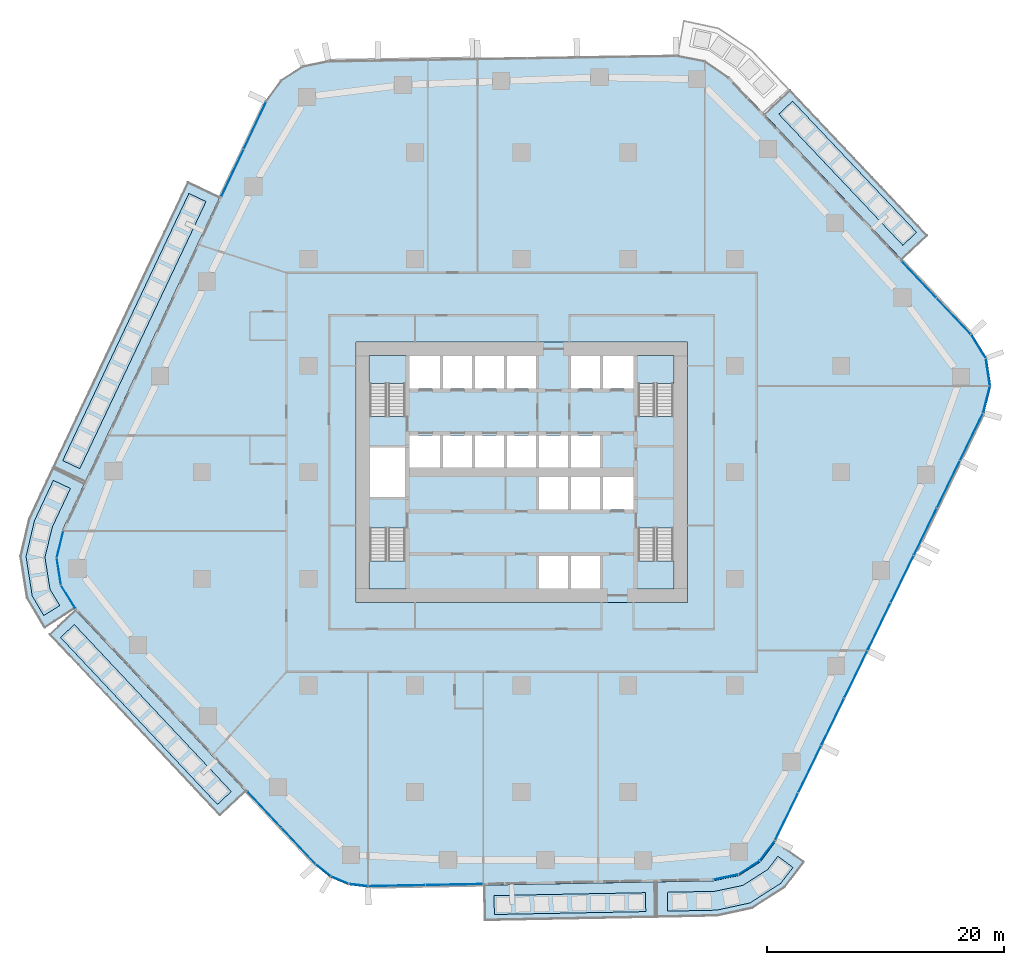
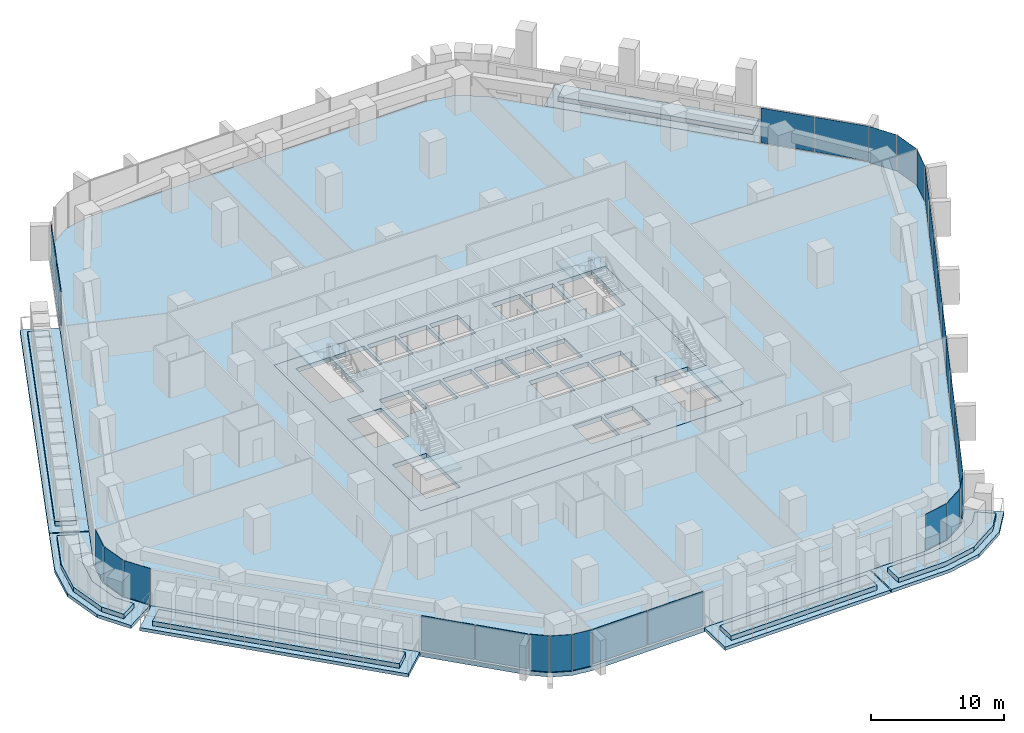
# One storey, part 11 of 25: 29 plates, 18 slabs, 13 elements without a shape of their own.
"""IFC4 building model written with IfcOpenShell, lengths in metres."""

from ifc_helpers import new_model, si_unit, direction, frame, origin, origin_2d, place, context, subcontext, project, spatial, polyline, rectangle, outline, extrude, material, layer, layer_set, type_object, element, aggregate, save


model = new_model("IFC4")

# Units and contexts
model_context = context("Model", 3, precision=1e-05, world=origin(), true_north=direction((0.0, 1.0)))
body_context = subcontext(model_context, "Body", "Model", "MODEL_VIEW")
ifc_project = project(units=[si_unit("LENGTHUNIT", "METRE"), si_unit("AREAUNIT", "SQUARE_METRE"), si_unit("VOLUMEUNIT", "CUBIC_METRE"), si_unit("PLANEANGLEUNIT", "RADIAN"), si_unit("MASSUNIT", "GRAM", prefix="KILO")], contexts=[model_context])

# Site, building, storey
site_placement = place(None, origin())
site = spatial("IfcSite", under=ifc_project, at=site_placement, CompositionType="ELEMENT")
building_placement = place(site_placement, origin())
building = spatial("IfcBuilding", under=site, at=building_placement, Name="Dongbaek Canopy Tower", CompositionType="ELEMENT")
storey_placement = place(building_placement, frame((0.0, 0.0, 81.0)))
storey = spatial("IfcBuildingStorey", under=building, at=storey_placement, Name="L16", CompositionType="ELEMENT", Elevation=81.0)

# Slabs
ifc_material_1 = material(Name="Concrete C40/50", Category="concrete")
ifc_layer_1 = layer(ifc_material_1, 0.300048828125)
ifc_layer_set_1 = layer_set([ifc_layer_1], Name="Balcony slab 300")
slab_type_1 = type_object("IfcSlabType", Name="Balcony slab 300", PredefinedType="FLOOR", material=ifc_layer_set_1)
slab_1_placement = place(storey_placement, frame((0.0, 0.0, -0.300048828125)))
element("IfcSlab", 1, at=slab_1_placement, inside=storey, type_object=slab_type_1, Name="Balcony L16 1", PredefinedType="FLOOR", context=body_context, shape_type="SweptSolid", body=[
    extrude(outline(polyline([(32.134033203125, 17.93408203125), (20.492431640625, 30.24755859375), (22.67236328125, 32.30859375), (34.31396484375, 19.9951171875), (32.134033203125, 17.93408203125)])), origin(), (0.0, 0.0, 1.0), 0.300048828125),
])
slab_2_placement = place(storey_placement, frame((0.0, 0.0, -0.300048828125)))
element("IfcSlab", 2, at=slab_2_placement, inside=storey, type_object=slab_type_1, Name="Balcony L16 2", PredefinedType="FLOOR", context=body_context, shape_type="SweptSolid", body=[
    extrude(outline(polyline([(-25.47998046875, 23.25048828125), (-36.863037109375, -0.844482421875), (-39.57568359375, 0.43701171875), (-28.1923828125, 24.531982421875), (-25.47998046875, 23.25048828125)])), origin(), (0.0, 0.0, 1.0), 0.300048828125),
])
slab_3_placement = place(storey_placement, frame((0.0, 0.0, -0.300048828125)))
element("IfcSlab", 3, at=slab_3_placement, inside=storey, type_object=slab_type_1, Name="Balcony L16 6", PredefinedType="FLOOR", context=body_context, shape_type="SweptSolid", body=[
    extrude(outline(polyline([(-36.90576171875, -0.93505859375), (-38.788818359375, -4.920654296875), (-39.358154296875, -7.2275390625), (-38.987548828125, -9.574462890625), (-37.761474609375, -11.551025390625), (-40.310791015625, -13.13232421875), (-41.799560546875, -10.61962890625), (-42.35546875, -7.099365234375), (-41.615234375, -3.91552734375), (-39.618408203125, 0.346435546875), (-36.90576171875, -0.93505859375)])), origin(), (0.0, 0.0, 1.0), 0.300048828125),
])
slab_4_placement = place(storey_placement, frame((0.0, 0.0, -0.300048828125)))
element("IfcSlab", 4, at=slab_4_placement, inside=storey, type_object=slab_type_1, Name="Balcony L16 3", PredefinedType="FLOOR", context=body_context, shape_type="SweptSolid", body=[
    extrude(outline(polyline([(-37.700927734375, -11.6298828125), (-23.28271484375, -26.96630859375), (-25.468505859375, -29.021240234375), (-39.88671875, -13.684814453125), (-37.700927734375, -11.6298828125)])), origin(), (0.0, 0.0, 1.0), 0.300048828125),
])
slab_5_placement = place(storey_placement, frame((0.0, 0.0, -0.300048828125)))
element("IfcSlab", 5, at=slab_5_placement, inside=storey, type_object=slab_type_1, Name="Balcony L16 4", PredefinedType="FLOOR", context=body_context, shape_type="SweptSolid", body=[
    extrude(outline(polyline([(-3.193359375, -34.87060546875), (11.294677734375, -34.595947265625), (11.3515625, -37.595458984375), (-3.136474609375, -37.869873046875), (-3.193359375, -34.87060546875)])), origin(), (0.0, 0.0, 1.0), 0.300048828125),
])
slab_6_placement = place(storey_placement, frame((0.0, 0.0, -0.300048828125)))
element("IfcSlab", 6, at=slab_6_placement, inside=storey, type_object=slab_type_1, Name="Balcony L16 7", PredefinedType="FLOOR", context=body_context, shape_type="SweptSolid", body=[
    extrude(outline(polyline([(11.39453125, -34.593994140625), (16.207275390625, -34.502685546875), (18.347900390625, -34.064208984375), (20.189697265625, -32.88818359375), (21.458251953125, -31.170654296875), (23.871337890625, -32.953125), (22.23779296875, -35.080078125), (19.47509765625, -36.844482421875), (16.5380859375, -37.484375), (11.451416015625, -37.593505859375), (11.39453125, -34.593994140625)])), origin(), (0.0, 0.0, 1.0), 0.300048828125),
])

# Curtain wall, plates
ifc_material_2 = material(Name="Aluminium 6063-T6 pale anodised", Category="aluminium")
ifc_layer_2 = layer(ifc_material_2, 0.199951171875)
ifc_layer_set_2 = layer_set([ifc_layer_2], Name="CW-1 unitised tower curtain wall")
curtain_wall_type = type_object("IfcCurtainWallType", Name="CW-1 unitised tower curtain wall", PredefinedType="NOTDEFINED", material=ifc_layer_set_2)
curtain_wall_1_placement = place(storey_placement, origin())
curtain_wall_1 = element("IfcCurtainWall", 7, at=curtain_wall_1_placement, inside=storey, type_object=curtain_wall_type, Name="CW-1 curtain wall K0.1", PredefinedType="NOTDEFINED")
ifc_material_3 = material(Name="Clear laminated glass", Category="glass")
ifc_layer_3 = layer(ifc_material_3, 0.028076171875)
ifc_layer_set_3 = layer_set([ifc_layer_3], Name="CW-1 glazed panel 28")
plate_type = type_object("IfcPlateType", Name="CW-1 glazed panel 28", PredefinedType="CURTAIN_PANEL", material=ifc_layer_set_3)
plate_1_placement = place(storey_placement, frame((39.259033203125, 6.140380859375, 0.0), z_axis=(0.0, 0.0, 1.0), x_axis=(0.248721904492, 0.968574939912, 0.0)))
plate_1 = element("IfcPlate", 8, at=plate_1_placement, type_object=plate_type, Name="CW-1 panel K0.1.1.1", PredefinedType="CURTAIN_PANEL", context=body_context, shape_type="SweptSolid", body=[
    extrude(rectangle(XDim=2.2900390625, YDim=0.028076171875, at=origin_2d()), origin(), (0.0, 0.0, 1.0), 3.300048828125),
])
plate_2_placement = place(storey_placement, frame((39.375244140625, 8.458251953125, 0.0), z_axis=(0.0, 0.0, 1.0), x_axis=(-0.151541451758, 0.988450903383, 0.0)))
plate_2 = element("IfcPlate", 9, at=plate_2_placement, type_object=plate_type, Name="CW-1 panel K0.1.2.1", PredefinedType="CURTAIN_PANEL", context=body_context, shape_type="SweptSolid", body=[
    extrude(rectangle(XDim=2.279541015625, YDim=0.028076171875, at=origin_2d()), origin(), (0.0, 0.0, 1.0), 3.300048828125),
])
plate_3_placement = place(storey_placement, frame((38.570068359375, 10.635009765625, 0.0), z_axis=(0.0, 0.0, 1.0), x_axis=(-0.527466370675, 0.849575910562, 0.0)))
plate_3 = element("IfcPlate", 10, at=plate_3_placement, type_object=plate_type, Name="CW-1 panel K0.1.3.1", PredefinedType="CURTAIN_PANEL", context=body_context, shape_type="SweptSolid", body=[
    extrude(rectangle(XDim=2.2900390625, YDim=0.028076171875, at=origin_2d()), origin(), (0.0, 0.0, 1.0), 3.300048828125),
])
aggregate(curtain_wall_1, [plate_1, plate_2, plate_3])

curtain_wall_2_placement = place(storey_placement, origin())
curtain_wall_2 = element("IfcCurtainWall", 11, at=curtain_wall_2_placement, inside=storey, type_object=curtain_wall_type, Name="CW-1 curtain wall F0.1", PredefinedType="NOTDEFINED")
plate_4_placement = place(storey_placement, frame((36.483642578125, 13.18798828125, 0.1201171875), z_axis=(0.0, 0.0, 1.0), x_axis=(-0.687005170923, 0.72665252709, 0.0)))
plate_4 = element("IfcPlate", 12, at=plate_4_placement, type_object=plate_type, Name="CW-1 panel F0.1.1.1", PredefinedType="CURTAIN_PANEL", context=body_context, shape_type="SweptSolid", body=[
    extrude(rectangle(XDim=4.167236328125, YDim=0.028076171875, at=origin_2d()), origin(), (0.0, 0.0, 1.0), 3.179931640625),
])
plate_5_placement = place(storey_placement, frame((33.5595703125, 16.28076171875, 0.1201171875), z_axis=(0.0, 0.0, 1.0), x_axis=(-0.687005170923, 0.72665252709, 0.0)))
plate_5 = element("IfcPlate", 13, at=plate_5_placement, type_object=plate_type, Name="CW-1 panel F0.1.2.1", PredefinedType="CURTAIN_PANEL", context=body_context, shape_type="SweptSolid", body=[
    extrude(rectangle(XDim=4.177490234375, YDim=0.028076171875, at=origin_2d()), origin(), (0.0, 0.0, 1.0), 3.179931640625),
])
aggregate(curtain_wall_2, [plate_4, plate_5])

curtain_wall_3_placement = place(storey_placement, origin())
curtain_wall_3 = element("IfcCurtainWall", 14, at=curtain_wall_3_placement, inside=storey, type_object=curtain_wall_type, Name="CW-1 curtain wall F2.1", PredefinedType="NOTDEFINED")
plate_6_placement = place(storey_placement, frame((-22.513671875, 29.29541015625, 0.1201171875), z_axis=(0.0, 0.0, 1.0), x_axis=(-0.427157493317, -0.904177236997, 0.0)))
plate_6 = element("IfcPlate", 15, at=plate_6_placement, type_object=plate_type, Name="CW-1 panel F2.1.1.1", PredefinedType="CURTAIN_PANEL", context=body_context, shape_type="SweptSolid", body=[
    extrude(rectangle(XDim=4.36474609375, YDim=0.028076171875, at=origin_2d()), origin(), (0.0, 0.0, 1.0), 3.179931640625),
])
plate_7_placement = place(storey_placement, frame((-24.416015625, 25.2685546875, 0.1201171875), z_axis=(0.0, 0.0, 1.0), x_axis=(-0.427157493317, -0.904177236997, 0.0)))
plate_7 = element("IfcPlate", 16, at=plate_7_placement, type_object=plate_type, Name="CW-1 panel F2.1.2.1", PredefinedType="CURTAIN_PANEL", context=body_context, shape_type="SweptSolid", body=[
    extrude(rectangle(XDim=4.3740234375, YDim=0.028076171875, at=origin_2d()), origin(), (0.0, 0.0, 1.0), 3.179931640625),
])
aggregate(curtain_wall_3, [plate_6, plate_7])

curtain_wall_4_placement = place(storey_placement, origin())
curtain_wall_4 = element("IfcCurtainWall", 17, at=curtain_wall_4_placement, inside=storey, type_object=curtain_wall_type, Name="CW-1 curtain wall K3.1", PredefinedType="NOTDEFINED")
plate_8_placement = place(storey_placement, frame((-38.97509765625, -6.093017578125, 0.0), z_axis=(0.0, 0.0, 1.0), x_axis=(-0.239675655478, -0.97085301677, 0.0)))
plate_8 = element("IfcPlate", 18, at=plate_8_placement, type_object=plate_type, Name="CW-1 panel K3.1.1.1", PredefinedType="CURTAIN_PANEL", context=body_context, shape_type="SweptSolid", body=[
    extrude(rectangle(XDim=2.26171875, YDim=0.028076171875, at=origin_2d()), origin(), (0.0, 0.0, 1.0), 3.300048828125),
])
plate_9_placement = place(storey_placement, frame((-39.07421875, -8.38525390625, 0.0), z_axis=(0.0, 0.0, 1.0), x_axis=(0.15595884554, -0.987763553943, 0.0)))
plate_9 = element("IfcPlate", 19, at=plate_9_placement, type_object=plate_type, Name="CW-1 panel K3.1.2.1", PredefinedType="CURTAIN_PANEL", context=body_context, shape_type="SweptSolid", body=[
    extrude(rectangle(XDim=2.25146484375, YDim=0.028076171875, at=origin_2d()), origin(), (0.0, 0.0, 1.0), 3.300048828125),
])
plate_10_placement = place(storey_placement, frame((-38.273681640625, -10.535400390625, 0.0), z_axis=(0.0, 0.0, 1.0), x_axis=(0.527137030635, -0.849780295684, 0.0)))
plate_10 = element("IfcPlate", 20, at=plate_10_placement, type_object=plate_type, Name="CW-1 panel K3.1.3.1", PredefinedType="CURTAIN_PANEL", context=body_context, shape_type="SweptSolid", body=[
    extrude(rectangle(XDim=2.26171875, YDim=0.028076171875, at=origin_2d()), origin(), (0.0, 0.0, 1.0), 3.300048828125),
])
aggregate(curtain_wall_4, [plate_8, plate_9, plate_10])

curtain_wall_5_placement = place(storey_placement, origin())
curtain_wall_5 = element("IfcCurtainWall", 21, at=curtain_wall_5_placement, inside=storey, type_object=curtain_wall_type, Name="CW-1 curtain wall F3.1", PredefinedType="NOTDEFINED")
plate_11_placement = place(storey_placement, frame((-21.72705078125, -28.475341796875, 0.1201171875), z_axis=(0.0, 0.0, 1.0), x_axis=(0.684955696886, -0.728584719372, 0.0)))
plate_11 = element("IfcPlate", 22, at=plate_11_placement, type_object=plate_type, Name="CW-1 panel F3.1.1.1", PredefinedType="CURTAIN_PANEL", context=body_context, shape_type="SweptSolid", body=[
    extrude(rectangle(XDim=4.14599609375, YDim=0.028076171875, at=origin_2d()), origin(), (0.0, 0.0, 1.0), 3.179931640625),
])
plate_12_placement = place(storey_placement, frame((-18.83203125, -31.5546875, 0.1201171875), z_axis=(0.0, 0.0, 1.0), x_axis=(0.684955696886, -0.728584719372, 0.0)))
plate_12 = element("IfcPlate", 23, at=plate_12_placement, type_object=plate_type, Name="CW-1 panel F3.1.2.1", PredefinedType="CURTAIN_PANEL", context=body_context, shape_type="SweptSolid", body=[
    extrude(rectangle(XDim=4.138916015625, YDim=0.028076171875, at=origin_2d()), origin(), (0.0, 0.0, 1.0), 3.179931640625),
])
aggregate(curtain_wall_5, [plate_11, plate_12])

curtain_wall_6_placement = place(storey_placement, origin())
curtain_wall_6 = element("IfcCurtainWall", 24, at=curtain_wall_6_placement, inside=storey, type_object=curtain_wall_type, Name="CW-1 curtain wall K4.1", PredefinedType="NOTDEFINED")
plate_13_placement = place(storey_placement, frame((-16.7451171875, -33.608154296875, 0.0), z_axis=(0.0, 0.0, 1.0), x_axis=(0.779422777019, -0.626498311781, 0.0)))
plate_13 = element("IfcPlate", 25, at=plate_13_placement, type_object=plate_type, Name="CW-1 panel K4.1.1.1", PredefinedType="CURTAIN_PANEL", context=body_context, shape_type="SweptSolid", body=[
    extrude(rectangle(XDim=1.56005859375, YDim=0.028076171875, at=origin_2d()), origin(), (0.0, 0.0, 1.0), 3.300048828125),
])
plate_14_placement = place(storey_placement, frame((-15.35009765625, -34.440673828125, 0.0), z_axis=(0.0, 0.0, 1.0), x_axis=(0.92158575845, -0.388174818635, 0.0)))
plate_14 = element("IfcPlate", 26, at=plate_14_placement, type_object=plate_type, Name="CW-1 panel K4.1.2.1", PredefinedType="CURTAIN_PANEL", context=body_context, shape_type="SweptSolid", body=[
    extrude(rectangle(XDim=1.552978515625, YDim=0.028076171875, at=origin_2d()), origin(), (0.0, 0.0, 1.0), 3.300048828125),
])
plate_15_placement = place(storey_placement, frame((-13.779541015625, -34.857177734375, 0.0), z_axis=(0.0, 0.0, 1.0), x_axis=(0.992778894538, -0.119958603523, 0.0)))
plate_15 = element("IfcPlate", 27, at=plate_15_placement, type_object=plate_type, Name="CW-1 panel K4.1.3.1", PredefinedType="CURTAIN_PANEL", context=body_context, shape_type="SweptSolid", body=[
    extrude(rectangle(XDim=1.56005859375, YDim=0.028076171875, at=origin_2d()), origin(), (0.0, 0.0, 1.0), 3.300048828125),
])
aggregate(curtain_wall_6, [plate_13, plate_14, plate_15])

curtain_wall_7_placement = place(storey_placement, origin())
curtain_wall_7 = element("IfcCurtainWall", 28, at=curtain_wall_7_placement, inside=storey, type_object=curtain_wall_type, Name="CW-1 curtain wall F4.1", PredefinedType="NOTDEFINED")
plate_16_placement = place(storey_placement, frame((-10.53564453125, -34.90966796875, 0.1201171875), z_axis=(0.0, 0.0, 1.0), x_axis=(0.999820399817, 0.018951731053, 0.0)))
plate_16 = element("IfcPlate", 29, at=plate_16_placement, type_object=plate_type, Name="CW-1 panel F4.1.1.1", PredefinedType="CURTAIN_PANEL", context=body_context, shape_type="SweptSolid", body=[
    extrude(rectangle(XDim=4.7724609375, YDim=0.028076171875, at=origin_2d()), origin(), (0.0, 0.0, 1.0), 3.179931640625),
])
plate_17_placement = place(storey_placement, frame((-5.676513671875, -34.817626953125, 0.1201171875), z_axis=(0.0, 0.0, 1.0), x_axis=(0.999820399817, 0.018951731053, 0.0)))
plate_17 = element("IfcPlate", 30, at=plate_17_placement, type_object=plate_type, Name="CW-1 panel F4.1.2.1", PredefinedType="CURTAIN_PANEL", context=body_context, shape_type="SweptSolid", body=[
    extrude(rectangle(XDim=4.779541015625, YDim=0.028076171875, at=origin_2d()), origin(), (0.0, 0.0, 1.0), 3.179931640625),
])
aggregate(curtain_wall_7, [plate_16, plate_17])

curtain_wall_8_placement = place(storey_placement, origin())
curtain_wall_8 = element("IfcCurtainWall", 31, at=curtain_wall_8_placement, inside=storey, type_object=curtain_wall_type, Name="CW-1 curtain wall K5.1", PredefinedType="NOTDEFINED")
plate_18_placement = place(storey_placement, frame((17.2529296875, -34.1865234375, 0.0), z_axis=(0.0, 0.0, 1.0), x_axis=(0.979652022708, 0.200703548559, 0.0)))
plate_18 = element("IfcPlate", 32, at=plate_18_placement, type_object=plate_type, Name="CW-1 panel K5.1.1.1", PredefinedType="CURTAIN_PANEL", context=body_context, shape_type="SweptSolid", body=[
    extrude(rectangle(XDim=2.073486328125, YDim=0.028076171875, at=origin_2d()), origin(), (0.0, 0.0, 1.0), 3.300048828125),
])
plate_19_placement = place(storey_placement, frame((19.215087890625, -33.391845703125, 0.0), z_axis=(0.0, 0.0, 1.0), x_axis=(0.842805099495, 0.538218881372, 0.0)))
plate_19 = element("IfcPlate", 33, at=plate_19_placement, type_object=plate_type, Name="CW-1 panel K5.1.2.1", PredefinedType="CURTAIN_PANEL", context=body_context, shape_type="SweptSolid", body=[
    extrude(rectangle(XDim=2.064208984375, YDim=0.028076171875, at=origin_2d()), origin(), (0.0, 0.0, 1.0), 3.300048828125),
])
plate_20_placement = place(storey_placement, frame((20.76123046875, -31.946044921875, 0.0), z_axis=(0.0, 0.0, 1.0), x_axis=(0.594165406142, 0.804342880955, 0.0)))
plate_20 = element("IfcPlate", 34, at=plate_20_placement, type_object=plate_type, Name="CW-1 panel K5.1.3.1", PredefinedType="CURTAIN_PANEL", context=body_context, shape_type="SweptSolid", body=[
    extrude(rectangle(XDim=2.073486328125, YDim=0.028076171875, at=origin_2d()), origin(), (0.0, 0.0, 1.0), 3.300048828125),
])
aggregate(curtain_wall_8, [plate_18, plate_19, plate_20])

curtain_wall_9_placement = place(storey_placement, origin())
curtain_wall_9 = element("IfcCurtainWall", 35, at=curtain_wall_9_placement, inside=storey, type_object=curtain_wall_type, Name="CW-1 curtain wall F5.1", PredefinedType="NOTDEFINED")
plate_21_placement = place(storey_placement, frame((22.376220703125, -29.07763671875, 0.1201171875), z_axis=(0.0, 0.0, 1.0), x_axis=(0.437758850882, 0.899092424879, 0.0)))
plate_21 = element("IfcPlate", 36, at=plate_21_placement, type_object=plate_type, Name="CW-1 panel F5.1.1.1", PredefinedType="CURTAIN_PANEL", context=body_context, shape_type="SweptSolid", body=[
    extrude(rectangle(XDim=4.366455078125, YDim=0.028076171875, at=origin_2d()), origin(), (0.0, 0.0, 1.0), 3.179931640625),
])
plate_22_placement = place(storey_placement, frame((24.326416015625, -25.072265625, 0.1201171875), z_axis=(0.0, 0.0, 1.0), x_axis=(0.437758850882, 0.899092424879, 0.0)))
plate_22 = element("IfcPlate", 37, at=plate_22_placement, type_object=plate_type, Name="CW-1 panel F5.1.2.1", PredefinedType="CURTAIN_PANEL", context=body_context, shape_type="SweptSolid", body=[
    extrude(rectangle(XDim=4.375732421875, YDim=0.028076171875, at=origin_2d()), origin(), (0.0, 0.0, 1.0), 3.179931640625),
])
plate_23_placement = place(storey_placement, frame((26.27880859375, -21.0625, 0.1201171875), z_axis=(0.0, 0.0, 1.0), x_axis=(0.437758850882, 0.899092424879, 0.0)))
plate_23 = element("IfcPlate", 38, at=plate_23_placement, type_object=plate_type, Name="CW-1 panel F5.1.3.1", PredefinedType="CURTAIN_PANEL", context=body_context, shape_type="SweptSolid", body=[
    extrude(rectangle(XDim=4.375732421875, YDim=0.028076171875, at=origin_2d()), origin(), (0.0, 0.0, 1.0), 3.179931640625),
])
plate_24_placement = place(storey_placement, frame((28.23095703125, -17.052978515625, 0.1201171875), z_axis=(0.0, 0.0, 1.0), x_axis=(0.437758850882, 0.899092424879, 0.0)))
plate_24 = element("IfcPlate", 39, at=plate_24_placement, type_object=plate_type, Name="CW-1 panel F5.1.4.1", PredefinedType="CURTAIN_PANEL", context=body_context, shape_type="SweptSolid", body=[
    extrude(rectangle(XDim=4.375732421875, YDim=0.028076171875, at=origin_2d()), origin(), (0.0, 0.0, 1.0), 3.179931640625),
])
plate_25_placement = place(storey_placement, frame((30.183349609375, -13.04345703125, 0.1201171875), z_axis=(0.0, 0.0, 1.0), x_axis=(0.437758850882, 0.899092424879, 0.0)))
plate_25 = element("IfcPlate", 40, at=plate_25_placement, type_object=plate_type, Name="CW-1 panel F5.1.5.1", PredefinedType="CURTAIN_PANEL", context=body_context, shape_type="SweptSolid", body=[
    extrude(rectangle(XDim=4.375732421875, YDim=0.028076171875, at=origin_2d()), origin(), (0.0, 0.0, 1.0), 3.179931640625),
])
plate_26_placement = place(storey_placement, frame((32.135498046875, -9.03369140625, 0.1201171875), z_axis=(0.0, 0.0, 1.0), x_axis=(0.437758850882, 0.899092424879, 0.0)))
plate_26 = element("IfcPlate", 41, at=plate_26_placement, type_object=plate_type, Name="CW-1 panel F5.1.6.1", PredefinedType="CURTAIN_PANEL", context=body_context, shape_type="SweptSolid", body=[
    extrude(rectangle(XDim=4.375732421875, YDim=0.028076171875, at=origin_2d()), origin(), (0.0, 0.0, 1.0), 3.179931640625),
])
plate_27_placement = place(storey_placement, frame((34.087646484375, -5.024169921875, 0.1201171875), z_axis=(0.0, 0.0, 1.0), x_axis=(0.437758850882, 0.899092424879, 0.0)))
plate_27 = element("IfcPlate", 42, at=plate_27_placement, type_object=plate_type, Name="CW-1 panel F5.1.7.1", PredefinedType="CURTAIN_PANEL", context=body_context, shape_type="SweptSolid", body=[
    extrude(rectangle(XDim=4.375732421875, YDim=0.028076171875, at=origin_2d()), origin(), (0.0, 0.0, 1.0), 3.179931640625),
])
plate_28_placement = place(storey_placement, frame((36.0400390625, -1.014404296875, 0.1201171875), z_axis=(0.0, 0.0, 1.0), x_axis=(0.437758850882, 0.899092424879, 0.0)))
plate_28 = element("IfcPlate", 43, at=plate_28_placement, type_object=plate_type, Name="CW-1 panel F5.1.8.1", PredefinedType="CURTAIN_PANEL", context=body_context, shape_type="SweptSolid", body=[
    extrude(rectangle(XDim=4.375732421875, YDim=0.028076171875, at=origin_2d()), origin(), (0.0, 0.0, 1.0), 3.179931640625),
])
plate_29_placement = place(storey_placement, frame((37.989990234375, 2.990478515625, 0.1201171875), z_axis=(0.0, 0.0, 1.0), x_axis=(0.437758850882, 0.899092424879, 0.0)))
plate_29 = element("IfcPlate", 44, at=plate_29_placement, type_object=plate_type, Name="CW-1 panel F5.1.9.1", PredefinedType="CURTAIN_PANEL", context=body_context, shape_type="SweptSolid", body=[
    extrude(rectangle(XDim=4.365478515625, YDim=0.028076171875, at=origin_2d()), origin(), (0.0, 0.0, 1.0), 3.179931640625),
])
aggregate(curtain_wall_9, [plate_21, plate_22, plate_23, plate_24, plate_25, plate_26, plate_27, plate_28, plate_29])

# Slab
ifc_material_4 = material(Name="Concrete C40/50", Category="concrete")
ifc_layer_4 = layer(ifc_material_4, 0.39990234375)
ifc_layer_set_4 = layer_set([ifc_layer_4], Name="Core floor slab 400 Concrete C40/50")
slab_type_2 = type_object("IfcSlabType", Name="Core floor slab 400 Concrete C40/50", PredefinedType="FLOOR", material=ifc_layer_set_4)
slab_7_placement = place(storey_placement, frame((0.0, 0.0, -0.39990234375)))
element("IfcSlab", 45, at=slab_7_placement, inside=storey, type_object=slab_type_2, Name="Core floor slab L16", PredefinedType="FLOOR", context=body_context, shape_type="SweptSolid", body=[
    extrude(outline(polyline([(14.0, -11.0), (14.0, 11.0), (-14.0, 11.0), (-14.0, -11.0), (14.0, -11.0)]), holes=[polyline([(-12.800048828125, 2.10009765625), (-9.85009765625, 2.10009765625), (-9.85009765625, -2.10009765625), (-12.800048828125, -2.10009765625), (-12.800048828125, 2.10009765625)]), polyline([(-6.875, 9.800048828125), (-6.875, 7.074951171875), (-9.449951171875, 7.074951171875), (-9.449951171875, 9.800048828125), (-6.875, 9.800048828125)]), polyline([(-4.175048828125, 9.800048828125), (-4.175048828125, 7.074951171875), (-6.625, 7.074951171875), (-6.625, 9.800048828125), (-4.175048828125, 9.800048828125)]), polyline([(-1.47509765625, 9.800048828125), (-1.47509765625, 7.074951171875), (-3.925048828125, 7.074951171875), (-3.925048828125, 9.800048828125), (-1.47509765625, 9.800048828125)]), polyline([(1.22509765625, 9.800048828125), (1.22509765625, 7.074951171875), (-1.22509765625, 7.074951171875), (-1.22509765625, 9.800048828125), (1.22509765625, 9.800048828125)]), polyline([(6.625, 9.800048828125), (6.625, 7.074951171875), (4.175048828125, 7.074951171875), (4.175048828125, 9.800048828125), (6.625, 9.800048828125)]), polyline([(9.449951171875, 7.074951171875), (6.875, 7.074951171875), (6.875, 9.800048828125), (9.449951171875, 9.800048828125), (9.449951171875, 7.074951171875)]), polyline([(-9.449951171875, 3.125), (-6.875, 3.125), (-6.875, 0.39990234375), (-9.449951171875, 0.39990234375), (-9.449951171875, 3.125)]), polyline([(-6.625, 3.125), (-4.175048828125, 3.125), (-4.175048828125, 0.39990234375), (-6.625, 0.39990234375), (-6.625, 3.125)]), polyline([(-3.925048828125, 3.125), (-1.47509765625, 3.125), (-1.47509765625, 0.39990234375), (-3.925048828125, 0.39990234375), (-3.925048828125, 3.125)]), polyline([(-1.22509765625, 3.125), (1.22509765625, 3.125), (1.22509765625, 0.39990234375), (-1.22509765625, 0.39990234375), (-1.22509765625, 3.125)]), polyline([(1.47509765625, 0.39990234375), (1.47509765625, 3.125), (3.925048828125, 3.125), (3.925048828125, 0.39990234375), (1.47509765625, 0.39990234375)]), polyline([(4.175048828125, 0.39990234375), (4.175048828125, 3.125), (6.625, 3.125), (6.625, 0.39990234375), (4.175048828125, 0.39990234375)]), polyline([(3.925048828125, -0.39990234375), (3.925048828125, -3.125), (1.47509765625, -3.125), (1.47509765625, -0.39990234375), (3.925048828125, -0.39990234375)]), polyline([(6.625, -0.39990234375), (6.625, -3.125), (4.175048828125, -3.125), (4.175048828125, -0.39990234375), (6.625, -0.39990234375)]), polyline([(9.449951171875, -3.125), (6.875, -3.125), (6.875, -0.39990234375), (9.449951171875, -0.39990234375), (9.449951171875, -3.125)]), polyline([(1.47509765625, -9.800048828125), (1.47509765625, -7.074951171875), (3.925048828125, -7.074951171875), (3.925048828125, -9.800048828125), (1.47509765625, -9.800048828125)]), polyline([(4.175048828125, -9.800048828125), (4.175048828125, -7.074951171875), (6.625, -7.074951171875), (6.625, -9.800048828125), (4.175048828125, -9.800048828125)]), polyline([(12.800048828125, 4.70068359375), (12.800048828125, 9.800048828125), (9.85009765625, 9.800048828125), (9.85009765625, 4.70068359375), (12.800048828125, 4.70068359375)]), polyline([(-9.85009765625, 4.70068359375), (-9.85009765625, 9.800048828125), (-12.800048828125, 9.800048828125), (-12.800048828125, 4.70068359375), (-9.85009765625, 4.70068359375)]), polyline([(9.85009765625, -4.70068359375), (9.85009765625, -9.800048828125), (12.800048828125, -9.800048828125), (12.800048828125, -4.70068359375), (9.85009765625, -4.70068359375)]), polyline([(-12.800048828125, -4.70068359375), (-12.800048828125, -9.800048828125), (-9.85009765625, -9.800048828125), (-9.85009765625, -4.70068359375), (-12.800048828125, -4.70068359375)])]), origin(), (0.0, 0.0, 1.0), 0.39990234375),
])

# Stair, slab
ifc_material_5 = material(Name="Concrete C40/50", Category="concrete")
stair_type = type_object("IfcStairType", Name="Core exit stair", PredefinedType="HALF_TURN_STAIR", material=ifc_material_5)
stair_1_placement = place(storey_placement, origin())
stair_1 = element("IfcStair", 46, at=stair_1_placement, inside=storey, type_object=stair_type, Name="L16 exit stair A", PredefinedType="HALF_TURN_STAIR")
ifc_material_6 = material(Name="Concrete C40/50", Category="concrete")
ifc_layer_5 = layer(ifc_material_6, 0.199951171875)
ifc_layer_set_5 = layer_set([ifc_layer_5], Name="Core stair landing 200")
slab_type_3 = type_object("IfcSlabType", Name="Core stair landing 200", PredefinedType="LANDING", material=ifc_layer_set_5)
slab_8_placement = place(storey_placement, frame((0.0, 0.0, 1.64990234375)))
slab_8 = element("IfcSlab", 47, at=slab_8_placement, type_object=slab_type_3, Name="ST-A landing 1", PredefinedType="LANDING", context=body_context, shape_type="SweptSolid", body=[
    extrude(outline(polyline([(12.875, 7.5), (12.875, 9.875), (9.77490234375, 9.875), (9.77490234375, 7.5), (12.875, 7.5)])), origin(), (0.0, 0.0, 1.0), 0.2001953125),
])
aggregate(stair_1, [slab_8])

stair_2_placement = place(storey_placement, origin())
stair_2 = element("IfcStair", 48, at=stair_2_placement, inside=storey, type_object=stair_type, Name="L16 exit stair C", PredefinedType="HALF_TURN_STAIR")
slab_9_placement = place(storey_placement, frame((0.0, 0.0, 1.64990234375)))
slab_9 = element("IfcSlab", 49, at=slab_9_placement, type_object=slab_type_3, Name="ST-C landing 1", PredefinedType="LANDING", context=body_context, shape_type="SweptSolid", body=[
    extrude(outline(polyline([(-9.77490234375, 7.5), (-9.77490234375, 9.875), (-12.875, 9.875), (-12.875, 7.5), (-9.77490234375, 7.5)])), origin(), (0.0, 0.0, 1.0), 0.2001953125),
])
aggregate(stair_2, [slab_9])

stair_3_placement = place(storey_placement, origin())
stair_3 = element("IfcStair", 50, at=stair_3_placement, inside=storey, type_object=stair_type, Name="L16 exit stair B", PredefinedType="HALF_TURN_STAIR")
slab_10_placement = place(storey_placement, frame((0.0, 0.0, 1.64990234375)))
slab_10 = element("IfcSlab", 51, at=slab_10_placement, type_object=slab_type_3, Name="ST-B landing 1", PredefinedType="LANDING", context=body_context, shape_type="SweptSolid", body=[
    extrude(outline(polyline([(9.77490234375, -7.5), (9.77490234375, -9.875), (12.875, -9.875), (12.875, -7.5), (9.77490234375, -7.5)])), origin(), (0.0, 0.0, 1.0), 0.2001953125),
])
aggregate(stair_3, [slab_10])

stair_4_placement = place(storey_placement, origin())
stair_4 = element("IfcStair", 52, at=stair_4_placement, inside=storey, type_object=stair_type, Name="L16 exit stair D", PredefinedType="HALF_TURN_STAIR")
slab_11_placement = place(storey_placement, frame((0.0, 0.0, 1.64990234375)))
slab_11 = element("IfcSlab", 53, at=slab_11_placement, type_object=slab_type_3, Name="ST-D landing 1", PredefinedType="LANDING", context=body_context, shape_type="SweptSolid", body=[
    extrude(outline(polyline([(-12.875, -7.5), (-12.875, -9.875), (-9.77490234375, -9.875), (-9.77490234375, -7.5), (-12.875, -7.5)])), origin(), (0.0, 0.0, 1.0), 0.2001953125),
])
aggregate(stair_4, [slab_11])

# Slabs
ifc_material_7 = material(Name="Concrete C40", Category="concrete")
ifc_layer_6 = layer(ifc_material_7, 0.39990234375)
ifc_layer_set_6 = layer_set([ifc_layer_6], Name="RC FLAT PLATE 400 Concrete C40")
slab_type_4 = type_object("IfcSlabType", Name="RC FLAT PLATE 400 Concrete C40", PredefinedType="FLOOR", material=ifc_layer_set_6)
slab_12_placement = place(storey_placement, frame((0.0, 0.0, -0.39990234375)))
element("IfcSlab", 54, at=slab_12_placement, inside=storey, type_object=slab_type_4, Name="SLAB:L16", PredefinedType="FLOOR", context=body_context, shape_type="SweptSolid", body=[
    extrude(outline(polyline([(21.488037109375, -31.13037109375), (20.189697265625, -32.88818359375), (18.347900390625, -34.064208984375), (16.207275390625, -34.502685546875), (-12.968505859375, -35.055908203125), (-14.62158203125, -34.856201171875), (-16.156005859375, -34.209716796875), (-17.453857421875, -33.16650390625), (-37.735107421875, -11.593505859375), (-38.98779296875, -9.57421875), (-39.358154296875, -7.227294921875), (-38.788818359375, -4.920654296875), (-21.64990234375, 31.357666015625), (-20.3505859375, 33.151123046875), (-18.4892578125, 34.35107421875), (-16.319580078125, 34.7939453125), (13.075927734375, 35.2578125), (15.50048828125, 34.78759765625), (17.530517578125, 33.380615234375), (38.023681640625, 11.70458984375), (39.2919921875, 9.661865234375), (39.65625, 7.28515625), (39.058349609375, 4.9560546875), (21.488037109375, -31.13037109375)]), holes=[polyline([(14.0, 11.0), (-14.0, 11.0), (-14.0, -11.0), (14.0, -11.0), (14.0, 11.0)])]), origin(), (0.0, 0.0, 1.0), 0.39990234375),
])
ifc_material_8 = material(Name="Reinforced concrete C40/50 planter box with soil", Category="concrete")
ifc_layer_7 = layer(ifc_material_8, 0.419921875)
ifc_layer_set_7 = layer_set([ifc_layer_7], Name="Terrace planter box 1600 x 420")
slab_type_5 = type_object("IfcSlabType", Name="Terrace planter box 1600 x 420", PredefinedType="USERDEFINED", material=ifc_layer_set_7)
slab_13_placement = place(storey_placement, origin())
element("IfcSlab", 55, at=slab_13_placement, inside=storey, type_object=slab_type_5, Name="Balcony planter L16 1", ObjectType="PLANTER", PredefinedType="USERDEFINED", context=body_context, shape_type="SweptSolid", body=[
    extrude(outline(polyline([(32.19677734375, 19.163330078125), (21.72314453125, 30.241455078125), (22.8857421875, 31.340576171875), (33.359375, 20.262451171875), (32.19677734375, 19.163330078125)])), origin(), (0.0, 0.0, 1.0), 0.419921875),
])
slab_14_placement = place(storey_placement, origin())
element("IfcSlab", 56, at=slab_14_placement, inside=storey, type_object=slab_type_5, Name="Balcony planter L16 2", ObjectType="PLANTER", PredefinedType="USERDEFINED", context=body_context, shape_type="SweptSolid", body=[
    extrude(outline(polyline([(-26.647705078125, 22.8623046875), (-37.3046875, 0.30419921875), (-38.75146484375, 0.987548828125), (-28.09423828125, 23.545654296875), (-26.647705078125, 22.8623046875)])), origin(), (0.0, 0.0, 1.0), 0.419921875),
])
slab_15_placement = place(storey_placement, origin())
element("IfcSlab", 57, at=slab_15_placement, inside=storey, type_object=slab_type_5, Name="Balcony planter L16 6", ObjectType="PLANTER", PredefinedType="USERDEFINED", context=body_context, shape_type="SweptSolid", body=[
    extrude(outline(polyline([(-38.094970703125, -1.36865234375), (-39.627197265625, -4.62255859375), (-40.247314453125, -7.189453125), (-39.82177734375, -9.884521484375), (-38.9921875, -11.25537109375), (-40.35205078125, -12.0986328125), (-41.321533203125, -10.44189453125), (-41.845947265625, -7.12109375), (-41.134765625, -4.08642578125), (-39.541748046875, -0.68505859375), (-38.094970703125, -1.36865234375)])), origin(), (0.0, 0.0, 1.0), 0.419921875),
])
slab_16_placement = place(storey_placement, origin())
element("IfcSlab", 58, at=slab_16_placement, inside=storey, type_object=slab_type_5, Name="Balcony planter L16 3", ObjectType="PLANTER", PredefinedType="USERDEFINED", context=body_context, shape_type="SweptSolid", body=[
    extrude(outline(polyline([(-37.76708984375, -12.858642578125), (-24.513427734375, -26.956787109375), (-25.67919921875, -28.052734375), (-38.932861328125, -13.95458984375), (-37.76708984375, -12.858642578125)])), origin(), (0.0, 0.0, 1.0), 0.419921875),
])
slab_17_placement = place(storey_placement, origin())
element("IfcSlab", 59, at=slab_17_placement, inside=storey, type_object=slab_type_5, Name="Balcony planter L16 4", ObjectType="PLANTER", PredefinedType="USERDEFINED", context=body_context, shape_type="SweptSolid", body=[
    extrude(outline(polyline([(-2.32666015625, -35.744140625), (10.461669921875, -35.501953125), (10.491943359375, -37.1015625), (-2.29638671875, -37.343994140625), (-2.32666015625, -35.744140625)])), origin(), (0.0, 0.0, 1.0), 0.419921875),
])
slab_18_placement = place(storey_placement, origin())
element("IfcSlab", 60, at=slab_18_placement, inside=storey, type_object=slab_type_5, Name="Balcony planter L16 7", ObjectType="PLANTER", PredefinedType="USERDEFINED", context=body_context, shape_type="SweptSolid", body=[
    extrude(outline(polyline([(12.311279296875, -35.466796875), (16.305419921875, -35.387451171875), (18.682373046875, -34.888916015625), (20.79736328125, -33.538330078125), (21.639404296875, -32.42333984375), (22.926513671875, -33.3740234375), (21.8896484375, -34.70751953125), (19.28369140625, -36.371826171875), (16.48193359375, -36.9775390625), (12.341552734375, -37.06640625), (12.311279296875, -35.466796875)])), origin(), (0.0, 0.0, 1.0), 0.419921875),
])

save(model, "model.ifc")
